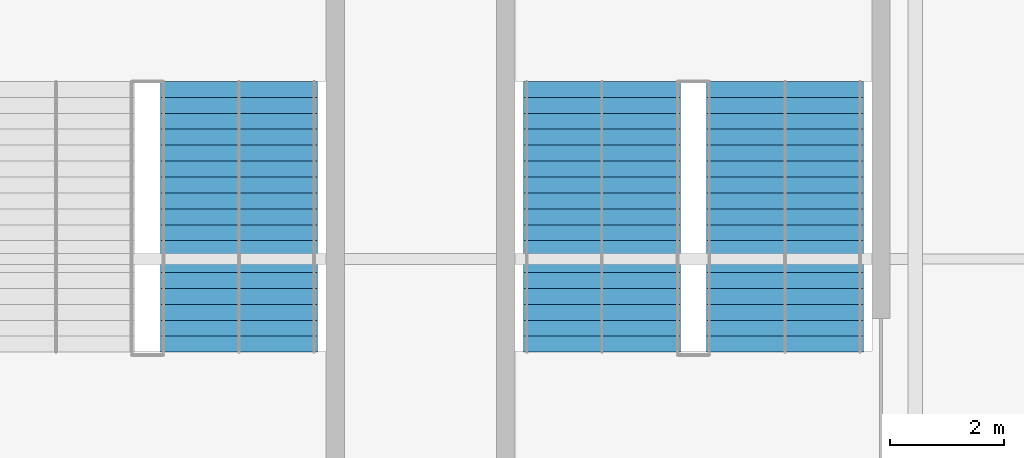
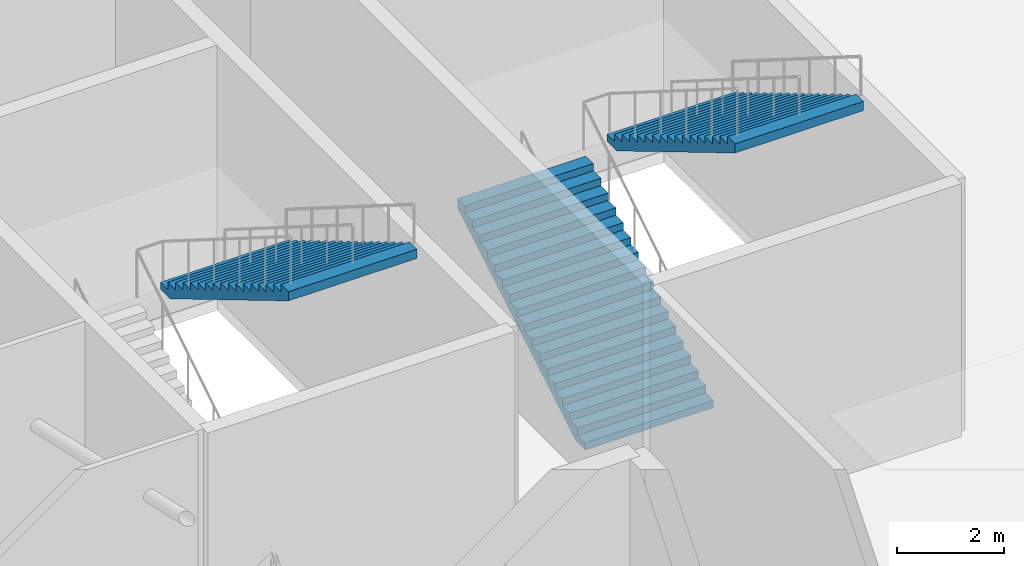
# One storey, part 54 of 84: 3 stair flights, 2 elements without a shape of their own.
"""IFC4 building model written with IfcOpenShell, lengths in metres."""

import ifcopenshell
import ifcopenshell.guid

model = None  # the IFC model being written
_history = None  # IfcOwnerHistory: only IFC2X3 demands one
_inside = {}  # id of a spatial element -> (the spatial element, [elements in it])
_under = {}  # id of a project, library or spatial element -> (it, [spatial elements below it])
_declared = {}  # id of a project -> (the project, [libraries it declares])
_typed = {}  # id of a type object -> (the type object, [elements of that type])
_made_of = {}  # id of a material, layer set ... -> (it, [elements and type objects made of it])


def new_model(schema):
    """Start an empty IFC model of exactly this schema.

    Asked for "IFC4X3", IfcOpenShell would pick the latest addendum, in which some entities
    have other attributes; the version numbers below select the first issue.
    IFC2X3 requires an IfcOwnerHistory on every rooted entity: one is made here for all.
    """
    global model, _history
    if schema == "IFC4X3":
        model = ifcopenshell.file(schema_version=(4, 3, 0, 0))
    else:
        model = ifcopenshell.file(schema=schema)
    _inside.clear()
    _under.clear()
    _declared.clear()
    _typed.clear()
    _made_of.clear()
    _history = None
    if model.schema == "IFC2X3":
        org = make("IfcOrganization", Name="unknown")
        user = make(
            "IfcPersonAndOrganization",
            ThePerson=make("IfcPerson", FamilyName="unknown"),
            TheOrganization=org,
        )
        app = make(
            "IfcApplication",
            ApplicationDeveloper=org,
            Version="unknown",
            ApplicationFullName="unknown",
            ApplicationIdentifier="unknown",
        )
        _history = make(
            "IfcOwnerHistory",
            OwningUser=user,
            OwningApplication=app,
            ChangeAction="ADDED",
            CreationDate=0,
        )
    return model


def make(cls, **values):
    """One entity of the class cls with the attributes given. An attribute that is None is left unset."""
    return model.create_entity(
        cls, **{name: value for name, value in values.items() if value is not None}
    )


def rooted(cls, **values):
    """An entity with a GlobalId (a new one), such as an element, a storey or a relation."""
    return make(cls, GlobalId=ifcopenshell.guid.new(), OwnerHistory=_history, **values)


def si_unit(unit_type, name, prefix=None):
    """IfcSIUnit, for example si_unit("LENGTHUNIT", "METRE", prefix="MILLI")."""
    return make("IfcSIUnit", UnitType=unit_type, Prefix=prefix, Name=name)


def assignment(units):
    """IfcUnitAssignment: the units of a project."""
    return None if units is None else make("IfcUnitAssignment", Units=units)


def point(xyz):
    """IfcCartesianPoint."""
    return None if xyz is None else make("IfcCartesianPoint", Coordinates=xyz)


def direction(xyz):
    """IfcDirection."""
    return None if xyz is None else make("IfcDirection", DirectionRatios=xyz)


def frame(location, z_axis=None, x_axis=None):
    """IfcAxis2Placement3D, a coordinate frame: its origin and axes. An axis left out is left unset."""
    return make(
        "IfcAxis2Placement3D",
        Location=point(location),
        Axis=direction(z_axis),
        RefDirection=direction(x_axis),
    )


def origin():
    """The frame at (0, 0, 0) with its axes left unset."""
    return frame((0.0, 0.0, 0.0))


def place(relative_to, where):
    """IfcLocalPlacement: puts the frame where relative to a parent placement (None: the world)."""
    return make(
        "IfcLocalPlacement", PlacementRelTo=relative_to, RelativePlacement=where
    )


def context(
    kind, dimensions, precision=None, world=None, true_north=None, identifier=None
):
    """IfcGeometricRepresentationContext, for example the 3D "Model" context."""
    return make(
        "IfcGeometricRepresentationContext",
        ContextIdentifier=identifier,
        ContextType=kind,
        CoordinateSpaceDimension=dimensions,
        Precision=precision,
        WorldCoordinateSystem=world,
        TrueNorth=true_north,
    )


def subcontext(parent, identifier, kind, view, scale=None):
    """IfcGeometricRepresentationSubContext, for example "Body" below "Model"."""
    return make(
        "IfcGeometricRepresentationSubContext",
        ContextIdentifier=identifier,
        ContextType=kind,
        ParentContext=parent,
        TargetScale=scale,
        TargetView=view,
    )


def project(units=None, contexts=None):
    """IfcProject with its units and contexts."""
    return rooted(
        "IfcProject",
        Name="project",
        RepresentationContexts=contexts,
        UnitsInContext=assignment(units),
    )


def spatial(cls, under=None, at=None, **own):
    """A site, building, storey or space (cls), placed at a placement, below another one or the project."""
    s = rooted(cls, ObjectPlacement=at, **own)
    if under is not None:
        _under.setdefault(under.id(), (under, []))[1].append(s)
    return s


def point_list(points):
    """IfcCartesianPointList2D or 3D."""
    cls = (
        "IfcCartesianPointList2D" if len(points[0]) == 2 else "IfcCartesianPointList3D"
    )
    return make(cls, CoordList=points)


def polygons(points, faces, closed=None, point_numbers=None):
    """IfcPolygonalFaceSet: a face is its outer loop, then its inner loops; points numbered from 1."""
    made = []
    for loops in faces:
        if len(loops) == 1:
            made.append(make("IfcIndexedPolygonalFace", CoordIndex=loops[0]))
        else:
            made.append(
                make(
                    "IfcIndexedPolygonalFaceWithVoids",
                    CoordIndex=loops[0],
                    InnerCoordIndices=loops[1:],
                )
            )
    return make(
        "IfcPolygonalFaceSet",
        Coordinates=point_list(points),
        Closed=closed,
        Faces=made,
        PnIndex=point_numbers,
    )


def shape(context_of_items, identifier, shape_type, items):
    """IfcShapeRepresentation: the items that make up one representation, for example the "Body"."""
    return make(
        "IfcShapeRepresentation",
        ContextOfItems=context_of_items,
        RepresentationIdentifier=identifier,
        RepresentationType=shape_type,
        Items=items,
    )


def material(Name=None, Category=None):
    """IfcMaterial."""
    return make("IfcMaterial", Name=Name, Category=Category)


def made_of(thing, what):
    """Note that an element or type object is made of a material, layer set ...; save() writes the relation."""
    if what is not None:
        _made_of.setdefault(what.id(), (what, []))[1].append(thing)
    return thing


def type_object(cls, material=None, **own):
    """A type object (cls), such as IfcWallType, which elements share."""
    return made_of(rooted(cls, **own), material)


def element(
    cls,
    number,
    at=None,
    inside=None,
    cuts=None,
    type_object=None,
    material=None,
    context=None,
    identifier="Body",
    shape_type=None,
    held_by="IfcProductDefinitionShape",
    body=None,
    shapes=None,
    **own,
):
    """One element of the class cls, such as IfcWall. Its Tag is "e" and its number.

    at: its placement. inside: the storey or other place that contains it. cuts: it is an
    opening in that element (IfcRelVoidsElement). A single representation is given by context,
    identifier, shape_type and body (its items); several are given by shapes. held_by: the class
    of the entity that holds the representations. save() writes the other relations.
    """
    e = rooted(cls, Tag="e%d" % number, ObjectPlacement=at, **own)
    if body is not None:
        shapes = [shape(context, identifier, shape_type, body)]
    if shapes is not None:
        e.Representation = make(held_by, Representations=shapes)
    if inside is not None:
        _inside.setdefault(inside.id(), (inside, []))[1].append(e)
    if cuts is not None:
        rooted(
            "IfcRelVoidsElement", RelatingBuildingElement=cuts, RelatedOpeningElement=e
        )
    if type_object is not None:
        _typed.setdefault(type_object.id(), (type_object, []))[1].append(e)
    return made_of(e, material)


def aggregate(whole, parts):
    """IfcRelAggregates: a whole, such as a stair, and the parts it consists of."""
    return rooted("IfcRelAggregates", RelatingObject=whole, RelatedObjects=parts)


def save(model, path):
    """Write the relations noted so far, then the file.

    IfcRelAggregates (storeys below a building ...), IfcRelContainedInSpatialStructure (elements
    in a storey), IfcRelDefinesByType, IfcRelAssociatesMaterial and IfcRelDeclares: one each for
    every whole, place, type object, material and project.
    """
    for whole, parts in _under.values():
        aggregate(whole, parts)
    for where, things in _inside.values():
        rooted(
            "IfcRelContainedInSpatialStructure",
            RelatedElements=things,
            RelatingStructure=where,
        )
    for kind, things in _typed.values():
        rooted("IfcRelDefinesByType", RelatedObjects=things, RelatingType=kind)
    for what, things in _made_of.values():
        rooted("IfcRelAssociatesMaterial", RelatedObjects=things, RelatingMaterial=what)
    for by, libraries in _declared.values():
        rooted("IfcRelDeclares", RelatingContext=by, RelatedDefinitions=libraries)
    model.write(path)


model = new_model("IFC4")

# Units and contexts
model_context = context("Model", 3, precision=1e-05, world=origin(), true_north=direction((0.0, 1.0)))
body_context = subcontext(model_context, "Body", "Model", "MODEL_VIEW")
ifc_project = project(units=[si_unit("LENGTHUNIT", "METRE"), si_unit("AREAUNIT", "SQUARE_METRE"), si_unit("VOLUMEUNIT", "CUBIC_METRE"), si_unit("PLANEANGLEUNIT", "RADIAN"), si_unit("MASSUNIT", "GRAM", prefix="KILO")], contexts=[model_context])

# Site, building, storey
site_placement = place(None, origin())
site = spatial("IfcSite", under=ifc_project, at=site_placement, CompositionType="ELEMENT")
building_placement = place(site_placement, origin())
building = spatial("IfcBuilding", under=site, at=building_placement, Name="Kisiwana Market Hall", CompositionType="ELEMENT")
storey_placement = place(building_placement, origin())
storey = spatial("IfcBuildingStorey", under=building, at=storey_placement, Name="L00", CompositionType="ELEMENT", Elevation=0.0)

# Stair, stair flight
ifc_material_1 = material(Name="Concrete C32/40", Category="concrete")
stair_type = type_object("IfcStairType", Name="ST-ESC-6000", PredefinedType="TWO_STRAIGHT_RUN_STAIR", material=ifc_material_1)
stair_1_placement = place(storey_placement, origin())
stair_1 = element("IfcStair", 1, at=stair_1_placement, inside=storey, type_object=stair_type, Name="Escape stair ST-W3-L00", PredefinedType="TWO_STRAIGHT_RUN_STAIR")
ifc_material_2 = material(Name="Concrete C32/40", Category="concrete")
stair_flight_type = type_object("IfcStairFlightType", Name="SF-ESC-6000", PredefinedType="STRAIGHT", material=ifc_material_2)
stair_flight_1_placement = place(storey_placement, frame((15.110107421875, 47.1201171875, 3.0), z_axis=(0.0, 0.0, 1.0), x_axis=(0.0, -1.0, 0.0)))
stair_flight_1 = element("IfcStairFlight", 2, at=stair_flight_1_placement, type_object=stair_flight_type, Name="ST-W3-L00 flight 2", NumberOfRisers=18, NumberOfTreads=17, PredefinedType="STRAIGHT", RiserHeight=0.166667, TreadLength=0.28, context=body_context, shape_type="Tessellation", body=[
    polygons([(0.0, -1.380127, 0.0), (0.0, -0.690125, 0.0), (0.0, -0.000122, 0.0), (0.0, 0.68988, 0.0), (0.0, 1.379883, 0.0), (0.0, -1.380127, 0.166748), (0.0, -0.690125, 0.166748), (0.0, -0.000122, 0.166748), (0.0, 0.68988, 0.166748), (0.0, 1.379883, 0.166748), (0.280029, -1.380127, 0.166748), (0.280029, -0.690125, 0.166748), (0.280029, -0.000122, 0.166748), (0.280029, 0.68988, 0.166748), (0.280029, 1.379883, 0.166748), (0.280029, -1.380127, 0.333252), (0.280029, -0.690125, 0.333252), (0.280029, -0.000122, 0.333252), (0.280029, 0.68988, 0.333252), (0.280029, 1.379883, 0.333252), (0.560059, -1.380127, 0.333252), (0.560059, -0.690125, 0.333252), (0.560059, -0.000122, 0.333252), (0.560059, 0.68988, 0.333252), (0.560059, 1.379883, 0.333252), (0.560059, -1.380127, 0.5), (0.560059, -0.690125, 0.5), (0.560059, -0.000122, 0.5), (0.560059, 0.68988, 0.5), (0.560059, 1.379883, 0.5), (0.840088, -1.380127, 0.5), (0.840088, -0.690125, 0.5), (0.840088, -0.000122, 0.5), (0.840088, 0.68988, 0.5), (0.840088, 1.379883, 0.5), (0.840088, -1.380127, 0.666748), (0.840088, -0.690125, 0.666748), (0.840088, -0.000122, 0.666748), (0.840088, 0.68988, 0.666748), (0.840088, 1.379883, 0.666748), (1.120117, -1.380127, 0.666748), (1.120117, -0.690125, 0.666748), (1.120117, -0.000122, 0.666748), (1.120117, 0.68988, 0.666748), (1.120117, 1.379883, 0.666748), (1.120117, -1.380127, 0.833252), (1.120117, -0.690125, 0.833252), (1.120117, -0.000122, 0.833252), (1.120117, 0.68988, 0.833252), (1.120117, 1.379883, 0.833252), (1.399902, -1.380127, 0.833252), (1.399902, -0.690125, 0.833252), (1.399902, -0.000122, 0.833252), (1.399902, 0.68988, 0.833252), (1.399902, 1.379883, 0.833252), (1.399902, -1.380127, 1.0), (1.399902, -0.690125, 1.0), (1.399902, -0.000122, 1.0), (1.399902, 0.68988, 1.0), (1.399902, 1.379883, 1.0), (1.679932, -1.380127, 1.0), (1.679932, -0.690125, 1.0), (1.679932, -0.000122, 1.0), (1.679932, 0.68988, 1.0), (1.679932, 1.379883, 1.0), (1.679932, -1.380127, 1.166748), (1.679932, -0.690125, 1.166748), (1.679932, -0.000122, 1.166748), (1.679932, 0.68988, 1.166748), (1.679932, 1.379883, 1.166748), (1.959961, -1.380127, 1.166748), (1.959961, -0.690125, 1.166748), (1.959961, -0.000122, 1.166748), (1.959961, 0.68988, 1.166748), (1.959961, 1.379883, 1.166748), (1.959961, -1.380127, 1.333252), (1.959961, -0.690125, 1.333252), (1.959961, -0.000122, 1.333252), (1.959961, 0.68988, 1.333252), (1.959961, 1.379883, 1.333252), (2.23999, -1.380127, 1.333252), (2.23999, -0.690125, 1.333252), (2.23999, -0.000122, 1.333252), (2.23999, 0.68988, 1.333252), (2.23999, 1.379883, 1.333252), (2.23999, -1.380127, 1.5), (2.23999, -0.690125, 1.5), (2.23999, -0.000122, 1.5), (2.23999, 0.68988, 1.5), (2.23999, 1.379883, 1.5), (2.52002, -1.380127, 1.5), (2.52002, -0.690125, 1.5), (2.52002, -0.000122, 1.5), (2.52002, 0.68988, 1.5), (2.52002, 1.379883, 1.5), (2.52002, -1.380127, 1.666748), (2.52002, -0.690125, 1.666748), (2.52002, -0.000122, 1.666748), (2.52002, 0.68988, 1.666748), (2.52002, 1.379883, 1.666748), (2.800049, -1.380127, 1.666748), (2.800049, -0.690125, 1.666748), (2.800049, -0.000122, 1.666748), (2.800049, 0.68988, 1.666748), (2.800049, 1.379883, 1.666748), (2.800049, -1.380127, 1.833252), (2.800049, -0.690125, 1.833252), (2.800049, -0.000122, 1.833252), (2.800049, 0.68988, 1.833252), (2.800049, 1.379883, 1.833252), (3.080078, -1.380127, 1.833252), (3.080078, -0.690125, 1.833252), (3.080078, -0.000122, 1.833252), (3.080078, 0.68988, 1.833252), (3.080078, 1.379883, 1.833252), (3.080078, -1.380127, 2.0), (3.080078, -0.690125, 2.0), (3.080078, -0.000122, 2.0), (3.080078, 0.68988, 2.0), (3.080078, 1.379883, 2.0), (3.360107, -1.380127, 2.0), (3.360107, -0.690125, 2.0), (3.360107, -0.000122, 2.0), (3.360107, 0.68988, 2.0), (3.360107, 1.379883, 2.0), (3.360107, -1.380127, 2.166748), (3.360107, -0.690125, 2.166748), (3.360107, -0.000122, 2.166748), (3.360107, 0.68988, 2.166748), (3.360107, 1.379883, 2.166748), (3.639893, -1.380127, 2.166748), (3.639893, -0.690125, 2.166748), (3.639893, -0.000122, 2.166748), (3.639893, 0.68988, 2.166748), (3.639893, 1.379883, 2.166748), (3.639893, -1.380127, 2.333252), (3.639893, -0.690125, 2.333252), (3.639893, -0.000122, 2.333252), (3.639893, 0.68988, 2.333252), (3.639893, 1.379883, 2.333252), (3.919922, -1.380127, 2.333252), (3.919922, -0.690125, 2.333252), (3.919922, -0.000122, 2.333252), (3.919922, 0.68988, 2.333252), (3.919922, 1.379883, 2.333252), (3.919922, -1.380127, 2.5), (3.919922, -0.690125, 2.5), (3.919922, -0.000122, 2.5), (3.919922, 0.68988, 2.5), (3.919922, 1.379883, 2.5), (4.199951, -1.380127, 2.5), (4.199951, -0.690125, 2.5), (4.199951, -0.000122, 2.5), (4.199951, 0.68988, 2.5), (4.199951, 1.379883, 2.5), (4.199951, -1.380127, 2.666748), (4.199951, -0.690125, 2.666748), (4.199951, -0.000122, 2.666748), (4.199951, 0.68988, 2.666748), (4.199951, 1.379883, 2.666748), (4.47998, -1.380127, 2.666748), (4.47998, -0.690125, 2.666748), (4.47998, -0.000122, 2.666748), (4.47998, 0.68988, 2.666748), (4.47998, 1.379883, 2.666748), (4.47998, -1.380127, 2.833252), (4.47998, -0.690125, 2.833252), (4.47998, -0.000122, 2.833252), (4.47998, 0.68988, 2.833252), (4.47998, 1.379883, 2.833252), (4.76001, -1.380127, 2.833252), (4.76001, -0.690125, 2.833252), (4.76001, -0.000122, 2.833252), (4.76001, 0.68988, 2.833252), (4.76001, 1.379883, 2.833252), (4.76001, -1.380127, 2.624023), (4.76001, -0.690125, 2.624023), (4.76001, -0.000122, 2.624023), (4.76001, 0.68988, 2.624023), (4.76001, 1.379883, 2.624023), (0.351807, -1.380127, 0.0), (0.351807, -0.690125, 0.0), (0.351807, -0.000122, 0.0), (0.351807, 0.68988, 0.0), (0.351807, 1.379883, 0.0)], [[[1, 6, 7, 2]], [[2, 7, 8, 3]], [[3, 8, 9, 4]], [[4, 9, 10, 5]], [[6, 11, 12, 7]], [[7, 12, 13, 8]], [[8, 13, 14, 9]], [[9, 14, 15, 10]], [[11, 16, 17, 12]], [[12, 17, 18, 13]], [[13, 18, 19, 14]], [[14, 19, 20, 15]], [[16, 21, 22, 17]], [[17, 22, 23, 18]], [[18, 23, 24, 19]], [[19, 24, 25, 20]], [[21, 26, 27, 22]], [[22, 27, 28, 23]], [[23, 28, 29, 24]], [[24, 29, 30, 25]], [[26, 31, 32, 27]], [[27, 32, 33, 28]], [[28, 33, 34, 29]], [[29, 34, 35, 30]], [[31, 36, 37, 32]], [[32, 37, 38, 33]], [[33, 38, 39, 34]], [[34, 39, 40, 35]], [[36, 41, 42, 37]], [[37, 42, 43, 38]], [[38, 43, 44, 39]], [[39, 44, 45, 40]], [[41, 46, 47, 42]], [[42, 47, 48, 43]], [[43, 48, 49, 44]], [[44, 49, 50, 45]], [[46, 51, 52, 47]], [[47, 52, 53, 48]], [[48, 53, 54, 49]], [[49, 54, 55, 50]], [[51, 56, 57, 52]], [[52, 57, 58, 53]], [[53, 58, 59, 54]], [[54, 59, 60, 55]], [[56, 61, 62, 57]], [[57, 62, 63, 58]], [[58, 63, 64, 59]], [[59, 64, 65, 60]], [[61, 66, 67, 62]], [[62, 67, 68, 63]], [[63, 68, 69, 64]], [[64, 69, 70, 65]], [[66, 71, 72, 67]], [[67, 72, 73, 68]], [[68, 73, 74, 69]], [[69, 74, 75, 70]], [[71, 76, 77, 72]], [[72, 77, 78, 73]], [[73, 78, 79, 74]], [[74, 79, 80, 75]], [[76, 81, 82, 77]], [[77, 82, 83, 78]], [[78, 83, 84, 79]], [[79, 84, 85, 80]], [[81, 86, 87, 82]], [[82, 87, 88, 83]], [[83, 88, 89, 84]], [[84, 89, 90, 85]], [[86, 91, 92, 87]], [[87, 92, 93, 88]], [[88, 93, 94, 89]], [[89, 94, 95, 90]], [[91, 96, 97, 92]], [[92, 97, 98, 93]], [[93, 98, 99, 94]], [[94, 99, 100, 95]], [[96, 101, 102, 97]], [[97, 102, 103, 98]], [[98, 103, 104, 99]], [[99, 104, 105, 100]], [[101, 106, 107, 102]], [[102, 107, 108, 103]], [[103, 108, 109, 104]], [[104, 109, 110, 105]], [[106, 111, 112, 107]], [[107, 112, 113, 108]], [[108, 113, 114, 109]], [[109, 114, 115, 110]], [[111, 116, 117, 112]], [[112, 117, 118, 113]], [[113, 118, 119, 114]], [[114, 119, 120, 115]], [[116, 121, 122, 117]], [[117, 122, 123, 118]], [[118, 123, 124, 119]], [[119, 124, 125, 120]], [[121, 126, 127, 122]], [[122, 127, 128, 123]], [[123, 128, 129, 124]], [[124, 129, 130, 125]], [[126, 131, 132, 127]], [[127, 132, 133, 128]], [[128, 133, 134, 129]], [[129, 134, 135, 130]], [[131, 136, 137, 132]], [[132, 137, 138, 133]], [[133, 138, 139, 134]], [[134, 139, 140, 135]], [[136, 141, 142, 137]], [[137, 142, 143, 138]], [[138, 143, 144, 139]], [[139, 144, 145, 140]], [[141, 146, 147, 142]], [[142, 147, 148, 143]], [[143, 148, 149, 144]], [[144, 149, 150, 145]], [[146, 151, 152, 147]], [[147, 152, 153, 148]], [[148, 153, 154, 149]], [[149, 154, 155, 150]], [[151, 156, 157, 152]], [[152, 157, 158, 153]], [[153, 158, 159, 154]], [[154, 159, 160, 155]], [[156, 161, 162, 157]], [[157, 162, 163, 158]], [[158, 163, 164, 159]], [[159, 164, 165, 160]], [[161, 166, 167, 162]], [[162, 167, 168, 163]], [[163, 168, 169, 164]], [[164, 169, 170, 165]], [[166, 171, 172, 167]], [[167, 172, 173, 168]], [[168, 173, 174, 169]], [[169, 174, 175, 170]], [[171, 176, 177, 172]], [[172, 177, 178, 173]], [[173, 178, 179, 174]], [[174, 179, 180, 175]], [[176, 181, 182, 177]], [[177, 182, 183, 178]], [[178, 183, 184, 179]], [[179, 184, 185, 180]], [[181, 1, 2, 182]], [[182, 2, 3, 183]], [[183, 3, 4, 184]], [[184, 4, 5, 185]], [[181, 176, 171, 166, 161, 156, 151, 146, 141, 136, 131, 126, 121, 116, 111, 106, 101, 96, 91, 86, 81, 76, 71, 66, 61, 56, 51, 46, 41, 36, 31, 26, 21, 16, 11, 6, 1]], [[5, 10, 15, 20, 25, 30, 35, 40, 45, 50, 55, 60, 65, 70, 75, 80, 85, 90, 95, 100, 105, 110, 115, 120, 125, 130, 135, 140, 145, 150, 155, 160, 165, 170, 175, 180, 185]]], closed=True),
])
aggregate(stair_1, [stair_flight_1])

# Stair, stair flights
stair_2_placement = place(storey_placement, origin())
stair_2 = element("IfcStair", 3, at=stair_2_placement, inside=storey, type_object=stair_type, Name="Escape stair ST-W7-L00", PredefinedType="TWO_STRAIGHT_RUN_STAIR")
stair_flight_2_placement = place(storey_placement, frame((21.489990234375, 42.360107421875, 0.0), z_axis=(0.0, 0.0, 1.0), x_axis=(0.0, 1.0, 0.0)))
stair_flight_2 = element("IfcStairFlight", 4, at=stair_flight_2_placement, type_object=stair_flight_type, Name="ST-W7-L00 flight 1", NumberOfRisers=18, NumberOfTreads=17, PredefinedType="STRAIGHT", RiserHeight=0.166667, TreadLength=0.28, context=body_context, shape_type="Tessellation", body=[
    polygons([(0.0, -1.380127, 0.0), (0.0, -0.690125, 0.0), (0.0, -0.000122, 0.0), (0.0, 0.68988, 0.0), (0.0, 1.379883, 0.0), (0.0, -1.380127, 0.166748), (0.0, -0.690125, 0.166748), (0.0, -0.000122, 0.166748), (0.0, 0.68988, 0.166748), (0.0, 1.379883, 0.166748), (0.280029, -1.380127, 0.166748), (0.280029, -0.690125, 0.166748), (0.280029, -0.000122, 0.166748), (0.280029, 0.68988, 0.166748), (0.280029, 1.379883, 0.166748), (0.280029, -1.380127, 0.333252), (0.280029, -0.690125, 0.333252), (0.280029, -0.000122, 0.333252), (0.280029, 0.68988, 0.333252), (0.280029, 1.379883, 0.333252), (0.560059, -1.380127, 0.333252), (0.560059, -0.690125, 0.333252), (0.560059, -0.000122, 0.333252), (0.560059, 0.68988, 0.333252), (0.560059, 1.379883, 0.333252), (0.560059, -1.380127, 0.5), (0.560059, -0.690125, 0.5), (0.560059, -0.000122, 0.5), (0.560059, 0.68988, 0.5), (0.560059, 1.379883, 0.5), (0.840088, -1.380127, 0.5), (0.840088, -0.690125, 0.5), (0.840088, -0.000122, 0.5), (0.840088, 0.68988, 0.5), (0.840088, 1.379883, 0.5), (0.840088, -1.380127, 0.666748), (0.840088, -0.690125, 0.666748), (0.840088, -0.000122, 0.666748), (0.840088, 0.68988, 0.666748), (0.840088, 1.379883, 0.666748), (1.120117, -1.380127, 0.666748), (1.120117, -0.690125, 0.666748), (1.120117, -0.000122, 0.666748), (1.120117, 0.68988, 0.666748), (1.120117, 1.379883, 0.666748), (1.120117, -1.380127, 0.833252), (1.120117, -0.690125, 0.833252), (1.120117, -0.000122, 0.833252), (1.120117, 0.68988, 0.833252), (1.120117, 1.379883, 0.833252), (1.399902, -1.380127, 0.833252), (1.399902, -0.690125, 0.833252), (1.399902, -0.000122, 0.833252), (1.399902, 0.68988, 0.833252), (1.399902, 1.379883, 0.833252), (1.399902, -1.380127, 1.0), (1.399902, -0.690125, 1.0), (1.399902, -0.000122, 1.0), (1.399902, 0.68988, 1.0), (1.399902, 1.379883, 1.0), (1.679932, -1.380127, 1.0), (1.679932, -0.690125, 1.0), (1.679932, -0.000122, 1.0), (1.679932, 0.68988, 1.0), (1.679932, 1.379883, 1.0), (1.679932, -1.380127, 1.166748), (1.679932, -0.690125, 1.166748), (1.679932, -0.000122, 1.166748), (1.679932, 0.68988, 1.166748), (1.679932, 1.379883, 1.166748), (1.959961, -1.380127, 1.166748), (1.959961, -0.690125, 1.166748), (1.959961, -0.000122, 1.166748), (1.959961, 0.68988, 1.166748), (1.959961, 1.379883, 1.166748), (1.959961, -1.380127, 1.333252), (1.959961, -0.690125, 1.333252), (1.959961, -0.000122, 1.333252), (1.959961, 0.68988, 1.333252), (1.959961, 1.379883, 1.333252), (2.23999, -1.380127, 1.333252), (2.23999, -0.690125, 1.333252), (2.23999, -0.000122, 1.333252), (2.23999, 0.68988, 1.333252), (2.23999, 1.379883, 1.333252), (2.23999, -1.380127, 1.5), (2.23999, -0.690125, 1.5), (2.23999, -0.000122, 1.5), (2.23999, 0.68988, 1.5), (2.23999, 1.379883, 1.5), (2.52002, -1.380127, 1.5), (2.52002, -0.690125, 1.5), (2.52002, -0.000122, 1.5), (2.52002, 0.68988, 1.5), (2.52002, 1.379883, 1.5), (2.52002, -1.380127, 1.666748), (2.52002, -0.690125, 1.666748), (2.52002, -0.000122, 1.666748), (2.52002, 0.68988, 1.666748), (2.52002, 1.379883, 1.666748), (2.800049, -1.380127, 1.666748), (2.800049, -0.690125, 1.666748), (2.800049, -0.000122, 1.666748), (2.800049, 0.68988, 1.666748), (2.800049, 1.379883, 1.666748), (2.800049, -1.380127, 1.833252), (2.800049, -0.690125, 1.833252), (2.800049, -0.000122, 1.833252), (2.800049, 0.68988, 1.833252), (2.800049, 1.379883, 1.833252), (3.080078, -1.380127, 1.833252), (3.080078, -0.690125, 1.833252), (3.080078, -0.000122, 1.833252), (3.080078, 0.68988, 1.833252), (3.080078, 1.379883, 1.833252), (3.080078, -1.380127, 2.0), (3.080078, -0.690125, 2.0), (3.080078, -0.000122, 2.0), (3.080078, 0.68988, 2.0), (3.080078, 1.379883, 2.0), (3.360107, -1.380127, 2.0), (3.360107, -0.690125, 2.0), (3.360107, -0.000122, 2.0), (3.360107, 0.68988, 2.0), (3.360107, 1.379883, 2.0), (3.360107, -1.380127, 2.166748), (3.360107, -0.690125, 2.166748), (3.360107, -0.000122, 2.166748), (3.360107, 0.68988, 2.166748), (3.360107, 1.379883, 2.166748), (3.639893, -1.380127, 2.166748), (3.639893, -0.690125, 2.166748), (3.639893, -0.000122, 2.166748), (3.639893, 0.68988, 2.166748), (3.639893, 1.379883, 2.166748), (3.639893, -1.380127, 2.333252), (3.639893, -0.690125, 2.333252), (3.639893, -0.000122, 2.333252), (3.639893, 0.68988, 2.333252), (3.639893, 1.379883, 2.333252), (3.919922, -1.380127, 2.333252), (3.919922, -0.690125, 2.333252), (3.919922, -0.000122, 2.333252), (3.919922, 0.68988, 2.333252), (3.919922, 1.379883, 2.333252), (3.919922, -1.380127, 2.5), (3.919922, -0.690125, 2.5), (3.919922, -0.000122, 2.5), (3.919922, 0.68988, 2.5), (3.919922, 1.379883, 2.5), (4.199951, -1.380127, 2.5), (4.199951, -0.690125, 2.5), (4.199951, -0.000122, 2.5), (4.199951, 0.68988, 2.5), (4.199951, 1.379883, 2.5), (4.199951, -1.380127, 2.666748), (4.199951, -0.690125, 2.666748), (4.199951, -0.000122, 2.666748), (4.199951, 0.68988, 2.666748), (4.199951, 1.379883, 2.666748), (4.47998, -1.380127, 2.666748), (4.47998, -0.690125, 2.666748), (4.47998, -0.000122, 2.666748), (4.47998, 0.68988, 2.666748), (4.47998, 1.379883, 2.666748), (4.47998, -1.380127, 2.833252), (4.47998, -0.690125, 2.833252), (4.47998, -0.000122, 2.833252), (4.47998, 0.68988, 2.833252), (4.47998, 1.379883, 2.833252), (4.76001, -1.380127, 2.833252), (4.76001, -0.690125, 2.833252), (4.76001, -0.000122, 2.833252), (4.76001, 0.68988, 2.833252), (4.76001, 1.379883, 2.833252), (4.76001, -1.380127, 2.624023), (4.76001, -0.690125, 2.624023), (4.76001, -0.000122, 2.624023), (4.76001, 0.68988, 2.624023), (4.76001, 1.379883, 2.624023), (0.351807, -1.380127, 0.0), (0.351807, -0.690125, 0.0), (0.351807, -0.000122, 0.0), (0.351807, 0.68988, 0.0), (0.351807, 1.379883, 0.0)], [[[1, 6, 7, 2]], [[2, 7, 8, 3]], [[3, 8, 9, 4]], [[4, 9, 10, 5]], [[6, 11, 12, 7]], [[7, 12, 13, 8]], [[8, 13, 14, 9]], [[9, 14, 15, 10]], [[11, 16, 17, 12]], [[12, 17, 18, 13]], [[13, 18, 19, 14]], [[14, 19, 20, 15]], [[16, 21, 22, 17]], [[17, 22, 23, 18]], [[18, 23, 24, 19]], [[19, 24, 25, 20]], [[21, 26, 27, 22]], [[22, 27, 28, 23]], [[23, 28, 29, 24]], [[24, 29, 30, 25]], [[26, 31, 32, 27]], [[27, 32, 33, 28]], [[28, 33, 34, 29]], [[29, 34, 35, 30]], [[31, 36, 37, 32]], [[32, 37, 38, 33]], [[33, 38, 39, 34]], [[34, 39, 40, 35]], [[36, 41, 42, 37]], [[37, 42, 43, 38]], [[38, 43, 44, 39]], [[39, 44, 45, 40]], [[41, 46, 47, 42]], [[42, 47, 48, 43]], [[43, 48, 49, 44]], [[44, 49, 50, 45]], [[46, 51, 52, 47]], [[47, 52, 53, 48]], [[48, 53, 54, 49]], [[49, 54, 55, 50]], [[51, 56, 57, 52]], [[52, 57, 58, 53]], [[53, 58, 59, 54]], [[54, 59, 60, 55]], [[56, 61, 62, 57]], [[57, 62, 63, 58]], [[58, 63, 64, 59]], [[59, 64, 65, 60]], [[61, 66, 67, 62]], [[62, 67, 68, 63]], [[63, 68, 69, 64]], [[64, 69, 70, 65]], [[66, 71, 72, 67]], [[67, 72, 73, 68]], [[68, 73, 74, 69]], [[69, 74, 75, 70]], [[71, 76, 77, 72]], [[72, 77, 78, 73]], [[73, 78, 79, 74]], [[74, 79, 80, 75]], [[76, 81, 82, 77]], [[77, 82, 83, 78]], [[78, 83, 84, 79]], [[79, 84, 85, 80]], [[81, 86, 87, 82]], [[82, 87, 88, 83]], [[83, 88, 89, 84]], [[84, 89, 90, 85]], [[86, 91, 92, 87]], [[87, 92, 93, 88]], [[88, 93, 94, 89]], [[89, 94, 95, 90]], [[91, 96, 97, 92]], [[92, 97, 98, 93]], [[93, 98, 99, 94]], [[94, 99, 100, 95]], [[96, 101, 102, 97]], [[97, 102, 103, 98]], [[98, 103, 104, 99]], [[99, 104, 105, 100]], [[101, 106, 107, 102]], [[102, 107, 108, 103]], [[103, 108, 109, 104]], [[104, 109, 110, 105]], [[106, 111, 112, 107]], [[107, 112, 113, 108]], [[108, 113, 114, 109]], [[109, 114, 115, 110]], [[111, 116, 117, 112]], [[112, 117, 118, 113]], [[113, 118, 119, 114]], [[114, 119, 120, 115]], [[116, 121, 122, 117]], [[117, 122, 123, 118]], [[118, 123, 124, 119]], [[119, 124, 125, 120]], [[121, 126, 127, 122]], [[122, 127, 128, 123]], [[123, 128, 129, 124]], [[124, 129, 130, 125]], [[126, 131, 132, 127]], [[127, 132, 133, 128]], [[128, 133, 134, 129]], [[129, 134, 135, 130]], [[131, 136, 137, 132]], [[132, 137, 138, 133]], [[133, 138, 139, 134]], [[134, 139, 140, 135]], [[136, 141, 142, 137]], [[137, 142, 143, 138]], [[138, 143, 144, 139]], [[139, 144, 145, 140]], [[141, 146, 147, 142]], [[142, 147, 148, 143]], [[143, 148, 149, 144]], [[144, 149, 150, 145]], [[146, 151, 152, 147]], [[147, 152, 153, 148]], [[148, 153, 154, 149]], [[149, 154, 155, 150]], [[151, 156, 157, 152]], [[152, 157, 158, 153]], [[153, 158, 159, 154]], [[154, 159, 160, 155]], [[156, 161, 162, 157]], [[157, 162, 163, 158]], [[158, 163, 164, 159]], [[159, 164, 165, 160]], [[161, 166, 167, 162]], [[162, 167, 168, 163]], [[163, 168, 169, 164]], [[164, 169, 170, 165]], [[166, 171, 172, 167]], [[167, 172, 173, 168]], [[168, 173, 174, 169]], [[169, 174, 175, 170]], [[171, 176, 177, 172]], [[172, 177, 178, 173]], [[173, 178, 179, 174]], [[174, 179, 180, 175]], [[176, 181, 182, 177]], [[177, 182, 183, 178]], [[178, 183, 184, 179]], [[179, 184, 185, 180]], [[181, 1, 2, 182]], [[182, 2, 3, 183]], [[183, 3, 4, 184]], [[184, 4, 5, 185]], [[181, 176, 171, 166, 161, 156, 151, 146, 141, 136, 131, 126, 121, 116, 111, 106, 101, 96, 91, 86, 81, 76, 71, 66, 61, 56, 51, 46, 41, 36, 31, 26, 21, 16, 11, 6, 1]], [[5, 10, 15, 20, 25, 30, 35, 40, 45, 50, 55, 60, 65, 70, 75, 80, 85, 90, 95, 100, 105, 110, 115, 120, 125, 130, 135, 140, 145, 150, 155, 160, 165, 170, 175, 180, 185]]], closed=True),
])
stair_flight_3_placement = place(storey_placement, frame((24.7099609375, 47.1201171875, 3.0), z_axis=(0.0, 0.0, 1.0), x_axis=(0.0, -1.0, 0.0)))
stair_flight_3 = element("IfcStairFlight", 5, at=stair_flight_3_placement, type_object=stair_flight_type, Name="ST-W7-L00 flight 2", NumberOfRisers=18, NumberOfTreads=17, PredefinedType="STRAIGHT", RiserHeight=0.166667, TreadLength=0.28, context=body_context, shape_type="Tessellation", body=[
    polygons([(0.0, -1.380127, 0.0), (0.0, -0.690125, 0.0), (0.0, -0.000122, 0.0), (0.0, 0.68988, 0.0), (0.0, 1.379883, 0.0), (0.0, -1.380127, 0.166748), (0.0, -0.690125, 0.166748), (0.0, -0.000122, 0.166748), (0.0, 0.68988, 0.166748), (0.0, 1.379883, 0.166748), (0.280029, -1.380127, 0.166748), (0.280029, -0.690125, 0.166748), (0.280029, -0.000122, 0.166748), (0.280029, 0.68988, 0.166748), (0.280029, 1.379883, 0.166748), (0.280029, -1.380127, 0.333252), (0.280029, -0.690125, 0.333252), (0.280029, -0.000122, 0.333252), (0.280029, 0.68988, 0.333252), (0.280029, 1.379883, 0.333252), (0.560059, -1.380127, 0.333252), (0.560059, -0.690125, 0.333252), (0.560059, -0.000122, 0.333252), (0.560059, 0.68988, 0.333252), (0.560059, 1.379883, 0.333252), (0.560059, -1.380127, 0.5), (0.560059, -0.690125, 0.5), (0.560059, -0.000122, 0.5), (0.560059, 0.68988, 0.5), (0.560059, 1.379883, 0.5), (0.840088, -1.380127, 0.5), (0.840088, -0.690125, 0.5), (0.840088, -0.000122, 0.5), (0.840088, 0.68988, 0.5), (0.840088, 1.379883, 0.5), (0.840088, -1.380127, 0.666748), (0.840088, -0.690125, 0.666748), (0.840088, -0.000122, 0.666748), (0.840088, 0.68988, 0.666748), (0.840088, 1.379883, 0.666748), (1.120117, -1.380127, 0.666748), (1.120117, -0.690125, 0.666748), (1.120117, -0.000122, 0.666748), (1.120117, 0.68988, 0.666748), (1.120117, 1.379883, 0.666748), (1.120117, -1.380127, 0.833252), (1.120117, -0.690125, 0.833252), (1.120117, -0.000122, 0.833252), (1.120117, 0.68988, 0.833252), (1.120117, 1.379883, 0.833252), (1.399902, -1.380127, 0.833252), (1.399902, -0.690125, 0.833252), (1.399902, -0.000122, 0.833252), (1.399902, 0.68988, 0.833252), (1.399902, 1.379883, 0.833252), (1.399902, -1.380127, 1.0), (1.399902, -0.690125, 1.0), (1.399902, -0.000122, 1.0), (1.399902, 0.68988, 1.0), (1.399902, 1.379883, 1.0), (1.679932, -1.380127, 1.0), (1.679932, -0.690125, 1.0), (1.679932, -0.000122, 1.0), (1.679932, 0.68988, 1.0), (1.679932, 1.379883, 1.0), (1.679932, -1.380127, 1.166748), (1.679932, -0.690125, 1.166748), (1.679932, -0.000122, 1.166748), (1.679932, 0.68988, 1.166748), (1.679932, 1.379883, 1.166748), (1.959961, -1.380127, 1.166748), (1.959961, -0.690125, 1.166748), (1.959961, -0.000122, 1.166748), (1.959961, 0.68988, 1.166748), (1.959961, 1.379883, 1.166748), (1.959961, -1.380127, 1.333252), (1.959961, -0.690125, 1.333252), (1.959961, -0.000122, 1.333252), (1.959961, 0.68988, 1.333252), (1.959961, 1.379883, 1.333252), (2.23999, -1.380127, 1.333252), (2.23999, -0.690125, 1.333252), (2.23999, -0.000122, 1.333252), (2.23999, 0.68988, 1.333252), (2.23999, 1.379883, 1.333252), (2.23999, -1.380127, 1.5), (2.23999, -0.690125, 1.5), (2.23999, -0.000122, 1.5), (2.23999, 0.68988, 1.5), (2.23999, 1.379883, 1.5), (2.52002, -1.380127, 1.5), (2.52002, -0.690125, 1.5), (2.52002, -0.000122, 1.5), (2.52002, 0.68988, 1.5), (2.52002, 1.379883, 1.5), (2.52002, -1.380127, 1.666748), (2.52002, -0.690125, 1.666748), (2.52002, -0.000122, 1.666748), (2.52002, 0.68988, 1.666748), (2.52002, 1.379883, 1.666748), (2.800049, -1.380127, 1.666748), (2.800049, -0.690125, 1.666748), (2.800049, -0.000122, 1.666748), (2.800049, 0.68988, 1.666748), (2.800049, 1.379883, 1.666748), (2.800049, -1.380127, 1.833252), (2.800049, -0.690125, 1.833252), (2.800049, -0.000122, 1.833252), (2.800049, 0.68988, 1.833252), (2.800049, 1.379883, 1.833252), (3.080078, -1.380127, 1.833252), (3.080078, -0.690125, 1.833252), (3.080078, -0.000122, 1.833252), (3.080078, 0.68988, 1.833252), (3.080078, 1.379883, 1.833252), (3.080078, -1.380127, 2.0), (3.080078, -0.690125, 2.0), (3.080078, -0.000122, 2.0), (3.080078, 0.68988, 2.0), (3.080078, 1.379883, 2.0), (3.360107, -1.380127, 2.0), (3.360107, -0.690125, 2.0), (3.360107, -0.000122, 2.0), (3.360107, 0.68988, 2.0), (3.360107, 1.379883, 2.0), (3.360107, -1.380127, 2.166748), (3.360107, -0.690125, 2.166748), (3.360107, -0.000122, 2.166748), (3.360107, 0.68988, 2.166748), (3.360107, 1.379883, 2.166748), (3.639893, -1.380127, 2.166748), (3.639893, -0.690125, 2.166748), (3.639893, -0.000122, 2.166748), (3.639893, 0.68988, 2.166748), (3.639893, 1.379883, 2.166748), (3.639893, -1.380127, 2.333252), (3.639893, -0.690125, 2.333252), (3.639893, -0.000122, 2.333252), (3.639893, 0.68988, 2.333252), (3.639893, 1.379883, 2.333252), (3.919922, -1.380127, 2.333252), (3.919922, -0.690125, 2.333252), (3.919922, -0.000122, 2.333252), (3.919922, 0.68988, 2.333252), (3.919922, 1.379883, 2.333252), (3.919922, -1.380127, 2.5), (3.919922, -0.690125, 2.5), (3.919922, -0.000122, 2.5), (3.919922, 0.68988, 2.5), (3.919922, 1.379883, 2.5), (4.199951, -1.380127, 2.5), (4.199951, -0.690125, 2.5), (4.199951, -0.000122, 2.5), (4.199951, 0.68988, 2.5), (4.199951, 1.379883, 2.5), (4.199951, -1.380127, 2.666748), (4.199951, -0.690125, 2.666748), (4.199951, -0.000122, 2.666748), (4.199951, 0.68988, 2.666748), (4.199951, 1.379883, 2.666748), (4.47998, -1.380127, 2.666748), (4.47998, -0.690125, 2.666748), (4.47998, -0.000122, 2.666748), (4.47998, 0.68988, 2.666748), (4.47998, 1.379883, 2.666748), (4.47998, -1.380127, 2.833252), (4.47998, -0.690125, 2.833252), (4.47998, -0.000122, 2.833252), (4.47998, 0.68988, 2.833252), (4.47998, 1.379883, 2.833252), (4.76001, -1.380127, 2.833252), (4.76001, -0.690125, 2.833252), (4.76001, -0.000122, 2.833252), (4.76001, 0.68988, 2.833252), (4.76001, 1.379883, 2.833252), (4.76001, -1.380127, 2.624023), (4.76001, -0.690125, 2.624023), (4.76001, -0.000122, 2.624023), (4.76001, 0.68988, 2.624023), (4.76001, 1.379883, 2.624023), (0.351807, -1.380127, 0.0), (0.351807, -0.690125, 0.0), (0.351807, -0.000122, 0.0), (0.351807, 0.68988, 0.0), (0.351807, 1.379883, 0.0)], [[[1, 6, 7, 2]], [[2, 7, 8, 3]], [[3, 8, 9, 4]], [[4, 9, 10, 5]], [[6, 11, 12, 7]], [[7, 12, 13, 8]], [[8, 13, 14, 9]], [[9, 14, 15, 10]], [[11, 16, 17, 12]], [[12, 17, 18, 13]], [[13, 18, 19, 14]], [[14, 19, 20, 15]], [[16, 21, 22, 17]], [[17, 22, 23, 18]], [[18, 23, 24, 19]], [[19, 24, 25, 20]], [[21, 26, 27, 22]], [[22, 27, 28, 23]], [[23, 28, 29, 24]], [[24, 29, 30, 25]], [[26, 31, 32, 27]], [[27, 32, 33, 28]], [[28, 33, 34, 29]], [[29, 34, 35, 30]], [[31, 36, 37, 32]], [[32, 37, 38, 33]], [[33, 38, 39, 34]], [[34, 39, 40, 35]], [[36, 41, 42, 37]], [[37, 42, 43, 38]], [[38, 43, 44, 39]], [[39, 44, 45, 40]], [[41, 46, 47, 42]], [[42, 47, 48, 43]], [[43, 48, 49, 44]], [[44, 49, 50, 45]], [[46, 51, 52, 47]], [[47, 52, 53, 48]], [[48, 53, 54, 49]], [[49, 54, 55, 50]], [[51, 56, 57, 52]], [[52, 57, 58, 53]], [[53, 58, 59, 54]], [[54, 59, 60, 55]], [[56, 61, 62, 57]], [[57, 62, 63, 58]], [[58, 63, 64, 59]], [[59, 64, 65, 60]], [[61, 66, 67, 62]], [[62, 67, 68, 63]], [[63, 68, 69, 64]], [[64, 69, 70, 65]], [[66, 71, 72, 67]], [[67, 72, 73, 68]], [[68, 73, 74, 69]], [[69, 74, 75, 70]], [[71, 76, 77, 72]], [[72, 77, 78, 73]], [[73, 78, 79, 74]], [[74, 79, 80, 75]], [[76, 81, 82, 77]], [[77, 82, 83, 78]], [[78, 83, 84, 79]], [[79, 84, 85, 80]], [[81, 86, 87, 82]], [[82, 87, 88, 83]], [[83, 88, 89, 84]], [[84, 89, 90, 85]], [[86, 91, 92, 87]], [[87, 92, 93, 88]], [[88, 93, 94, 89]], [[89, 94, 95, 90]], [[91, 96, 97, 92]], [[92, 97, 98, 93]], [[93, 98, 99, 94]], [[94, 99, 100, 95]], [[96, 101, 102, 97]], [[97, 102, 103, 98]], [[98, 103, 104, 99]], [[99, 104, 105, 100]], [[101, 106, 107, 102]], [[102, 107, 108, 103]], [[103, 108, 109, 104]], [[104, 109, 110, 105]], [[106, 111, 112, 107]], [[107, 112, 113, 108]], [[108, 113, 114, 109]], [[109, 114, 115, 110]], [[111, 116, 117, 112]], [[112, 117, 118, 113]], [[113, 118, 119, 114]], [[114, 119, 120, 115]], [[116, 121, 122, 117]], [[117, 122, 123, 118]], [[118, 123, 124, 119]], [[119, 124, 125, 120]], [[121, 126, 127, 122]], [[122, 127, 128, 123]], [[123, 128, 129, 124]], [[124, 129, 130, 125]], [[126, 131, 132, 127]], [[127, 132, 133, 128]], [[128, 133, 134, 129]], [[129, 134, 135, 130]], [[131, 136, 137, 132]], [[132, 137, 138, 133]], [[133, 138, 139, 134]], [[134, 139, 140, 135]], [[136, 141, 142, 137]], [[137, 142, 143, 138]], [[138, 143, 144, 139]], [[139, 144, 145, 140]], [[141, 146, 147, 142]], [[142, 147, 148, 143]], [[143, 148, 149, 144]], [[144, 149, 150, 145]], [[146, 151, 152, 147]], [[147, 152, 153, 148]], [[148, 153, 154, 149]], [[149, 154, 155, 150]], [[151, 156, 157, 152]], [[152, 157, 158, 153]], [[153, 158, 159, 154]], [[154, 159, 160, 155]], [[156, 161, 162, 157]], [[157, 162, 163, 158]], [[158, 163, 164, 159]], [[159, 164, 165, 160]], [[161, 166, 167, 162]], [[162, 167, 168, 163]], [[163, 168, 169, 164]], [[164, 169, 170, 165]], [[166, 171, 172, 167]], [[167, 172, 173, 168]], [[168, 173, 174, 169]], [[169, 174, 175, 170]], [[171, 176, 177, 172]], [[172, 177, 178, 173]], [[173, 178, 179, 174]], [[174, 179, 180, 175]], [[176, 181, 182, 177]], [[177, 182, 183, 178]], [[178, 183, 184, 179]], [[179, 184, 185, 180]], [[181, 1, 2, 182]], [[182, 2, 3, 183]], [[183, 3, 4, 184]], [[184, 4, 5, 185]], [[181, 176, 171, 166, 161, 156, 151, 146, 141, 136, 131, 126, 121, 116, 111, 106, 101, 96, 91, 86, 81, 76, 71, 66, 61, 56, 51, 46, 41, 36, 31, 26, 21, 16, 11, 6, 1]], [[5, 10, 15, 20, 25, 30, 35, 40, 45, 50, 55, 60, 65, 70, 75, 80, 85, 90, 95, 100, 105, 110, 115, 120, 125, 130, 135, 140, 145, 150, 155, 160, 165, 170, 175, 180, 185]]], closed=True),
])
aggregate(stair_2, [stair_flight_2, stair_flight_3])

save(model, "model.ifc")
